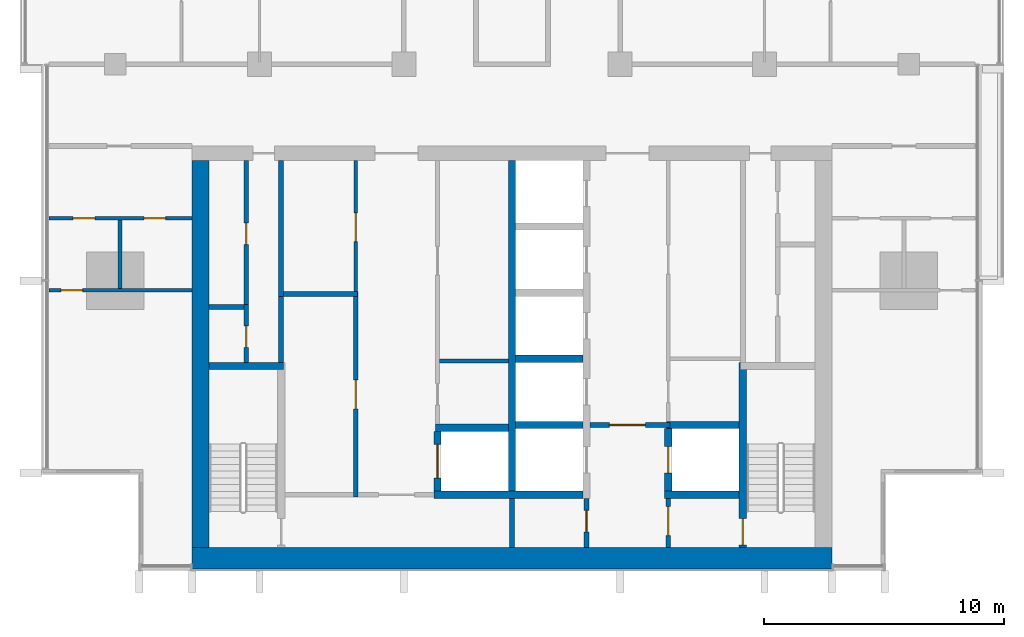
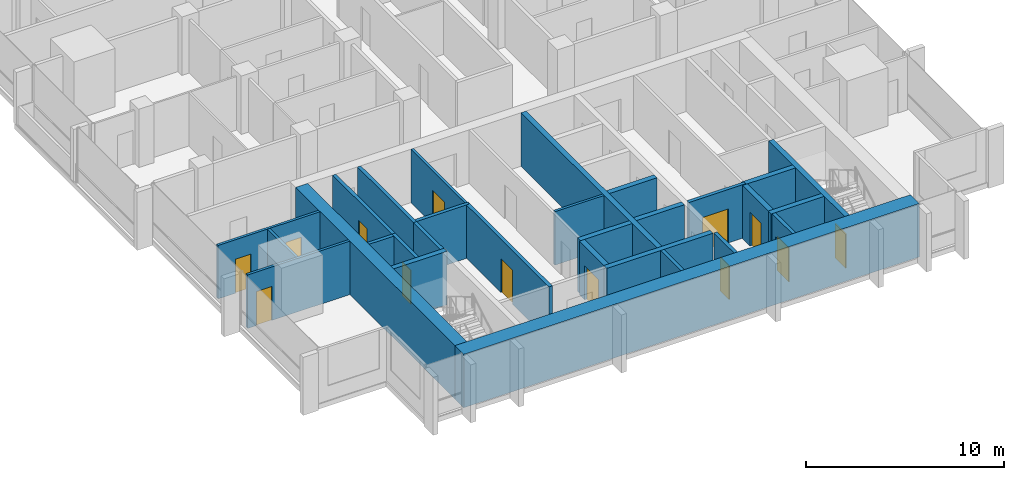
# One storey, part 7 of 17: 29 walls, 13 doors, 13 openings.
"""IFC4 building model written with IfcOpenShell, lengths in metres."""

import ifcopenshell
import ifcopenshell.guid

model = None  # the IFC model being written
_history = None  # IfcOwnerHistory: only IFC2X3 demands one
_inside = {}  # id of a spatial element -> (the spatial element, [elements in it])
_under = {}  # id of a project, library or spatial element -> (it, [spatial elements below it])
_declared = {}  # id of a project -> (the project, [libraries it declares])
_typed = {}  # id of a type object -> (the type object, [elements of that type])
_made_of = {}  # id of a material, layer set ... -> (it, [elements and type objects made of it])


def new_model(schema):
    """Start an empty IFC model of exactly this schema.

    Asked for "IFC4X3", IfcOpenShell would pick the latest addendum, in which some entities
    have other attributes; the version numbers below select the first issue.
    IFC2X3 requires an IfcOwnerHistory on every rooted entity: one is made here for all.
    """
    global model, _history
    if schema == "IFC4X3":
        model = ifcopenshell.file(schema_version=(4, 3, 0, 0))
    else:
        model = ifcopenshell.file(schema=schema)
    _inside.clear()
    _under.clear()
    _declared.clear()
    _typed.clear()
    _made_of.clear()
    _history = None
    if model.schema == "IFC2X3":
        org = make("IfcOrganization", Name="unknown")
        user = make(
            "IfcPersonAndOrganization",
            ThePerson=make("IfcPerson", FamilyName="unknown"),
            TheOrganization=org,
        )
        app = make(
            "IfcApplication",
            ApplicationDeveloper=org,
            Version="unknown",
            ApplicationFullName="unknown",
            ApplicationIdentifier="unknown",
        )
        _history = make(
            "IfcOwnerHistory",
            OwningUser=user,
            OwningApplication=app,
            ChangeAction="ADDED",
            CreationDate=0,
        )
    return model


def make(cls, **values):
    """One entity of the class cls with the attributes given. An attribute that is None is left unset."""
    return model.create_entity(
        cls, **{name: value for name, value in values.items() if value is not None}
    )


def rooted(cls, **values):
    """An entity with a GlobalId (a new one), such as an element, a storey or a relation."""
    return make(cls, GlobalId=ifcopenshell.guid.new(), OwnerHistory=_history, **values)


def si_unit(unit_type, name, prefix=None):
    """IfcSIUnit, for example si_unit("LENGTHUNIT", "METRE", prefix="MILLI")."""
    return make("IfcSIUnit", UnitType=unit_type, Prefix=prefix, Name=name)


def assignment(units):
    """IfcUnitAssignment: the units of a project."""
    return None if units is None else make("IfcUnitAssignment", Units=units)


def point(xyz):
    """IfcCartesianPoint."""
    return None if xyz is None else make("IfcCartesianPoint", Coordinates=xyz)


def direction(xyz):
    """IfcDirection."""
    return None if xyz is None else make("IfcDirection", DirectionRatios=xyz)


def frame(location, z_axis=None, x_axis=None):
    """IfcAxis2Placement3D, a coordinate frame: its origin and axes. An axis left out is left unset."""
    return make(
        "IfcAxis2Placement3D",
        Location=point(location),
        Axis=direction(z_axis),
        RefDirection=direction(x_axis),
    )


def frame_2d(location, x_axis=None):
    """IfcAxis2Placement2D, a coordinate frame in the plane: its origin and x axis."""
    return make(
        "IfcAxis2Placement2D", Location=point(location), RefDirection=direction(x_axis)
    )


def origin():
    """The frame at (0, 0, 0) with its axes left unset."""
    return frame((0.0, 0.0, 0.0))


def place(relative_to, where):
    """IfcLocalPlacement: puts the frame where relative to a parent placement (None: the world)."""
    return make(
        "IfcLocalPlacement", PlacementRelTo=relative_to, RelativePlacement=where
    )


def context(
    kind, dimensions, precision=None, world=None, true_north=None, identifier=None
):
    """IfcGeometricRepresentationContext, for example the 3D "Model" context."""
    return make(
        "IfcGeometricRepresentationContext",
        ContextIdentifier=identifier,
        ContextType=kind,
        CoordinateSpaceDimension=dimensions,
        Precision=precision,
        WorldCoordinateSystem=world,
        TrueNorth=true_north,
    )


def subcontext(parent, identifier, kind, view, scale=None):
    """IfcGeometricRepresentationSubContext, for example "Body" below "Model"."""
    return make(
        "IfcGeometricRepresentationSubContext",
        ContextIdentifier=identifier,
        ContextType=kind,
        ParentContext=parent,
        TargetScale=scale,
        TargetView=view,
    )


def project(units=None, contexts=None):
    """IfcProject with its units and contexts."""
    return rooted(
        "IfcProject",
        Name="project",
        RepresentationContexts=contexts,
        UnitsInContext=assignment(units),
    )


def spatial(cls, under=None, at=None, **own):
    """A site, building, storey or space (cls), placed at a placement, below another one or the project."""
    s = rooted(cls, ObjectPlacement=at, **own)
    if under is not None:
        _under.setdefault(under.id(), (under, []))[1].append(s)
    return s


def profile(cls, at=None, kind="AREA", **sizes):
    """A parametric profile (cls). Its sizes go by their IFC names, for example OverallWidth=200.0."""
    return make(cls, ProfileType=kind, Position=at, **sizes)


def rectangle(**sizes):
    """IfcRectangleProfileDef."""
    return profile("IfcRectangleProfileDef", **sizes)


def extrude(swept, where, along, depth):
    """IfcExtrudedAreaSolid: the profile swept, set in the frame where, extruded along a direction by depth."""
    return make(
        "IfcExtrudedAreaSolid",
        SweptArea=swept,
        Position=where,
        ExtrudedDirection=direction(along),
        Depth=depth,
    )


def shape(context_of_items, identifier, shape_type, items):
    """IfcShapeRepresentation: the items that make up one representation, for example the "Body"."""
    return make(
        "IfcShapeRepresentation",
        ContextOfItems=context_of_items,
        RepresentationIdentifier=identifier,
        RepresentationType=shape_type,
        Items=items,
    )


def material(Name=None, Category=None):
    """IfcMaterial."""
    return make("IfcMaterial", Name=Name, Category=Category)


def layer(
    of_material, thickness, ventilated=None, Name=None, Category=None, Priority=None
):
    """IfcMaterialLayer: one layer of a wall or slab, of a material (None: an air gap)."""
    return make(
        "IfcMaterialLayer",
        Material=of_material,
        LayerThickness=thickness,
        IsVentilated=ventilated,
        Name=Name,
        Category=Category,
        Priority=Priority,
    )


def layer_set(layers, Name=None):
    """IfcMaterialLayerSet."""
    return make("IfcMaterialLayerSet", MaterialLayers=layers, LayerSetName=Name)


def made_of(thing, what):
    """Note that an element or type object is made of a material, layer set ...; save() writes the relation."""
    if what is not None:
        _made_of.setdefault(what.id(), (what, []))[1].append(thing)
    return thing


def type_object(cls, material=None, **own):
    """A type object (cls), such as IfcWallType, which elements share."""
    return made_of(rooted(cls, **own), material)


def element(
    cls,
    number,
    at=None,
    inside=None,
    cuts=None,
    type_object=None,
    material=None,
    context=None,
    identifier="Body",
    shape_type=None,
    held_by="IfcProductDefinitionShape",
    body=None,
    shapes=None,
    **own,
):
    """One element of the class cls, such as IfcWall. Its Tag is "e" and its number.

    at: its placement. inside: the storey or other place that contains it. cuts: it is an
    opening in that element (IfcRelVoidsElement). A single representation is given by context,
    identifier, shape_type and body (its items); several are given by shapes. held_by: the class
    of the entity that holds the representations. save() writes the other relations.
    """
    e = rooted(cls, Tag="e%d" % number, ObjectPlacement=at, **own)
    if body is not None:
        shapes = [shape(context, identifier, shape_type, body)]
    if shapes is not None:
        e.Representation = make(held_by, Representations=shapes)
    if inside is not None:
        _inside.setdefault(inside.id(), (inside, []))[1].append(e)
    if cuts is not None:
        rooted(
            "IfcRelVoidsElement", RelatingBuildingElement=cuts, RelatedOpeningElement=e
        )
    if type_object is not None:
        _typed.setdefault(type_object.id(), (type_object, []))[1].append(e)
    return made_of(e, material)


def fill(opening, filler):
    """IfcRelFillsElement: the door or window that sits in an opening."""
    return rooted(
        "IfcRelFillsElement",
        RelatingOpeningElement=opening,
        RelatedBuildingElement=filler,
    )


def aggregate(whole, parts):
    """IfcRelAggregates: a whole, such as a stair, and the parts it consists of."""
    return rooted("IfcRelAggregates", RelatingObject=whole, RelatedObjects=parts)


def save(model, path):
    """Write the relations noted so far, then the file.

    IfcRelAggregates (storeys below a building ...), IfcRelContainedInSpatialStructure (elements
    in a storey), IfcRelDefinesByType, IfcRelAssociatesMaterial and IfcRelDeclares: one each for
    every whole, place, type object, material and project.
    """
    for whole, parts in _under.values():
        aggregate(whole, parts)
    for where, things in _inside.values():
        rooted(
            "IfcRelContainedInSpatialStructure",
            RelatedElements=things,
            RelatingStructure=where,
        )
    for kind, things in _typed.values():
        rooted("IfcRelDefinesByType", RelatedObjects=things, RelatingType=kind)
    for what, things in _made_of.values():
        rooted("IfcRelAssociatesMaterial", RelatedObjects=things, RelatingMaterial=what)
    for by, libraries in _declared.values():
        rooted("IfcRelDeclares", RelatingContext=by, RelatedDefinitions=libraries)
    model.write(path)


model = new_model("IFC4")

# Units and contexts
model_context = context("Model", 3, precision=1e-05, world=origin(), true_north=direction((0.0, 1.0)))
body_context = subcontext(model_context, "Body", "Model", "MODEL_VIEW")
ifc_project = project(units=[si_unit("LENGTHUNIT", "METRE"), si_unit("AREAUNIT", "SQUARE_METRE"), si_unit("VOLUMEUNIT", "CUBIC_METRE"), si_unit("PLANEANGLEUNIT", "RADIAN"), si_unit("MASSUNIT", "GRAM", prefix="KILO")], contexts=[model_context])

# Site, building, storey
site_placement = place(None, origin())
site = spatial("IfcSite", under=ifc_project, at=site_placement, CompositionType="ELEMENT")
building_placement = place(site_placement, origin())
building = spatial("IfcBuilding", under=site, at=building_placement, Name="Finial Court Residences", CompositionType="ELEMENT")
storey_placement = place(building_placement, frame((0.0, 0.0, 170.89990234375)))
storey = spatial("IfcBuildingStorey", under=building, at=storey_placement, Name="L42", CompositionType="ELEMENT", Elevation=170.89990234375)

# Walls
ifc_material_1 = material(Name="Concrete C70/85", Category="concrete")
ifc_layer_1 = layer(ifc_material_1, 0.699951171875)
ifc_layer_set_1 = layer_set([ifc_layer_1], Name="Core outer wall 700 Concrete C70/85")
wall_type_1 = type_object("IfcWallType", Name="Core outer wall 700 Concrete C70/85", PredefinedType="SHEAR", material=ifc_layer_set_1)
wall_1_placement = place(storey_placement, frame((-12.949951171875, -24.60009765625, 0.0), z_axis=(0.0, 0.0, 1.0), x_axis=(0.0, 1.0, 0.0)))
element("IfcWall", 1, at=wall_1_placement, inside=storey, type_object=wall_type_1, Name="Core outer wall L42-03", PredefinedType="SHEAR", context=body_context, shape_type="SweptSolid", body=[
    extrude(rectangle(XDim=16.10009765625, YDim=0.699951171875, at=frame_2d((8.050048828125, 0.0))), origin(), (0.0, 0.0, 1.0), 3.300048828125),
])
ifc_material_2 = material(Name="Fire-rated gypsum board partition")
ifc_layer_2 = layer(ifc_material_2, 0.14990234375)
ifc_layer_set_2 = layer_set([ifc_layer_2], Name="Core room partition 150 EI 60")
wall_type_2 = type_object("IfcWallType", Name="Core room partition 150 EI 60", PredefinedType="PARTITIONING", material=ifc_layer_set_2)
wall_2_placement = place(storey_placement, frame((-3.02490234375, -16.840087890625, 0.0), z_axis=(0.0, 0.0, 1.0), x_axis=(1.0, 0.0, 0.0)))
element("IfcWall", 2, at=wall_2_placement, inside=storey, type_object=wall_type_2, Name="Core partition L42-11", PredefinedType="PARTITIONING", context=body_context, shape_type="SweptSolid", body=[
    extrude(rectangle(XDim=2.875, YDim=0.14990234375, at=frame_2d((1.4375, 0.0))), origin(), (0.0, 0.0, 1.0), 3.300048828125),
])

# Wall, opening, door
wall_3_placement = place(storey_placement, frame((-6.5, -13.9599609375, 0.0), z_axis=(0.0, 0.0, 1.0), x_axis=(0.0, 1.0, 0.0)))
wall_3 = element("IfcWall", 3, at=wall_3_placement, inside=storey, type_object=wall_type_2, Name="Core partition L42-25", PredefinedType="PARTITIONING", context=body_context, shape_type="SweptSolid", body=[
    extrude(rectangle(XDim=5.4599609375, YDim=0.14990234375, at=frame_2d((2.72998046875, 0.0))), origin(), (0.0, 0.0, 1.0), 3.300048828125),
])
opening_1_placement = place(wall_3_placement, frame((2.080078125, 0.0, 0.0)))
opening_1 = element("IfcOpeningElement", 4, at=opening_1_placement, cuts=wall_3, Name="Opening L42-C14", PredefinedType="OPENING", context=body_context, shape_type="SweptSolid", body=[
    extrude(rectangle(XDim=1.199951171875, YDim=2.10009765625, at=frame_2d((0.60009765625, 1.050048828125))), frame((0.0, 0.0849609375, 0.0), z_axis=(0.0, -1.0, 0.0), x_axis=(1.0, 0.0, 0.0)), (0.0, 0.0, 1.0), 0.169921875),
])
ifc_material_3 = material(Name="Steel fire door", Category="steel")
door_type_1 = type_object("IfcDoorType", Name="Core room door 1200 x 2100 EI 60", OperationType="NOTDEFINED", PredefinedType="DOOR", material=ifc_material_3)
door_1_placement = place(opening_1_placement, origin())
door_1 = element("IfcDoor", 5, at=door_1_placement, inside=storey, type_object=door_type_1, Name="Core room door L42-C14", OperationType="SINGLE_SWING_RIGHT", OverallHeight=2.10009765625, OverallWidth=1.199951171875, PredefinedType="DOOR", context=body_context, shape_type="SweptSolid", body=[
    extrude(rectangle(XDim=1.199951171875, YDim=2.10009765625, at=frame_2d((0.60009765625, 1.050048828125))), frame((0.0, 0.02490234375, 0.0), z_axis=(0.0, -1.0, 0.0), x_axis=(1.0, 0.0, 0.0)), (0.0, 0.0, 1.0), 0.050048828125),
])
fill(opening_1, door_1)

# Wall
ifc_layer_3 = layer(ifc_material_1, 0.89990234375)
ifc_layer_set_3 = layer_set([ifc_layer_3], Name="Core south facade wall 900 Concrete C70/85")
wall_type_3 = type_object("IfcWallType", Name="Core south facade wall 900 Concrete C70/85", PredefinedType="SHEAR", material=ifc_layer_set_3)
wall_4_placement = place(storey_placement, frame((-13.300048828125, -25.050048828125, 0.0), z_axis=(0.0, 0.0, 1.0), x_axis=(1.0, 0.0, 0.0)))
element("IfcWall", 6, at=wall_4_placement, inside=storey, type_object=wall_type_3, Name="Core outer wall L42-01", PredefinedType="SHEAR", context=body_context, shape_type="SweptSolid", body=[
    extrude(rectangle(XDim=26.60009765625, YDim=0.89990234375, at=frame_2d((13.300048828125, 0.0))), origin(), (0.0, 0.0, 1.0), 3.300048828125),
])

# Wall, opening, door
ifc_layer_4 = layer(ifc_material_2, 0.199951171875)
ifc_layer_set_4 = layer_set([ifc_layer_4], Name="Firefighting lobby wall 200 EI 120")
wall_type_4 = type_object("IfcWallType", Name="Firefighting lobby wall 200 EI 120", PredefinedType="PARTITIONING", material=ifc_layer_set_4)
wall_5_placement = place(storey_placement, frame((6.574951171875, -19.5, 0.0), z_axis=(0.0, 0.0, 1.0), x_axis=(-1.0, 0.0, 0.0)))
wall_5 = element("IfcWall", 7, at=wall_5_placement, inside=storey, type_object=wall_type_4, Name="Core partition L42-07", PredefinedType="PARTITIONING", context=body_context, shape_type="SweptSolid", body=[
    extrude(rectangle(XDim=3.324951171875, YDim=0.199951171875, at=frame_2d((1.66259765625, 0.0))), origin(), (0.0, 0.0, 1.0), 3.300048828125),
])
opening_2_placement = place(wall_5_placement, frame((1.02490234375, 0.0, 0.0)))
opening_2 = element("IfcOpeningElement", 8, at=opening_2_placement, cuts=wall_5, Name="Opening L42-C02", PredefinedType="OPENING", context=body_context, shape_type="SweptSolid", body=[
    extrude(rectangle(XDim=1.5, YDim=2.10009765625, at=frame_2d((0.75, 1.050048828125))), frame((0.0, 0.10986328125, 0.0), z_axis=(0.0, -1.0, 0.0), x_axis=(1.0, 0.0, 0.0)), (0.0, 0.0, 1.0), 0.219970703125),
])
door_type_2 = type_object("IfcDoorType", Name="Firefighting lobby door 1500 x 2100 EI 90", OperationType="DOUBLE_DOOR_SINGLE_SWING", PredefinedType="DOOR", material=ifc_material_3)
door_2_placement = place(opening_2_placement, origin())
door_2 = element("IfcDoor", 9, at=door_2_placement, inside=storey, type_object=door_type_2, Name="Firefighting lobby door L42-C02", OperationType="DOUBLE_DOOR_SINGLE_SWING", OverallHeight=2.10009765625, OverallWidth=1.5, PredefinedType="DOOR", context=body_context, shape_type="SweptSolid", body=[
    extrude(rectangle(XDim=1.5, YDim=2.10009765625, at=frame_2d((0.75, 1.050048828125))), frame((0.0, 0.02490234375, 0.0), z_axis=(0.0, -1.0, 0.0), x_axis=(1.0, 0.0, 0.0)), (0.0, 0.0, 1.0), 0.050048828125),
])
fill(opening_2, door_2)

wall_6_placement = place(storey_placement, frame((3.10009765625, -24.60009765625, 0.0), z_axis=(0.0, 0.0, 1.0), x_axis=(0.0, 1.0, 0.0)))
wall_6 = element("IfcWall", 10, at=wall_6_placement, inside=storey, type_object=wall_type_4, Name="Core partition L42-30", PredefinedType="PARTITIONING", context=body_context, shape_type="SweptSolid", body=[
    extrude(rectangle(XDim=2.050048828125, YDim=0.199951171875, at=frame_2d((1.02490234375, 0.0))), origin(), (0.0, 0.0, 1.0), 3.300048828125),
])
opening_3_placement = place(wall_6_placement, frame((0.64990234375, 0.0, 0.0)))
opening_3 = element("IfcOpeningElement", 11, at=opening_3_placement, cuts=wall_6, Name="Opening L42-C06", PredefinedType="OPENING", context=body_context, shape_type="SweptSolid", body=[
    extrude(rectangle(XDim=0.89990234375, YDim=2.10009765625, at=frame_2d((0.449951171875, 1.050048828125))), frame((0.0, 0.10986328125, 0.0), z_axis=(0.0, -1.0, 0.0), x_axis=(1.0, 0.0, 0.0)), (0.0, 0.0, 1.0), 0.219970703125),
])
door_type_3 = type_object("IfcDoorType", Name="Riser room door 900 x 2100 EI 90", OperationType="NOTDEFINED", PredefinedType="DOOR", material=ifc_material_3)
door_3_placement = place(opening_3_placement, origin())
door_3 = element("IfcDoor", 12, at=door_3_placement, inside=storey, type_object=door_type_3, Name="Riser room door L42-C06", OperationType="SINGLE_SWING_LEFT", OverallHeight=2.10009765625, OverallWidth=0.89990234375, PredefinedType="DOOR", context=body_context, shape_type="SweptSolid", body=[
    extrude(rectangle(XDim=0.89990234375, YDim=2.10009765625, at=frame_2d((0.449951171875, 1.050048828125))), frame((0.0, 0.02490234375, 0.0), z_axis=(0.0, -1.0, 0.0), x_axis=(1.0, 0.0, 0.0)), (0.0, 0.0, 1.0), 0.050048828125),
])
fill(opening_3, door_3)

wall_7_placement = place(storey_placement, frame((6.5, -22.550048828125, 0.0), z_axis=(0.0, 0.0, 1.0), x_axis=(0.0, -1.0, 0.0)))
wall_7 = element("IfcWall", 13, at=wall_7_placement, inside=storey, type_object=wall_type_4, Name="Core partition L42-32", PredefinedType="PARTITIONING", context=body_context, shape_type="SweptSolid", body=[
    extrude(rectangle(XDim=2.050048828125, YDim=0.199951171875, at=frame_2d((1.02490234375, 0.0))), origin(), (0.0, 0.0, 1.0), 3.300048828125),
])
opening_4_placement = place(wall_7_placement, frame((0.35009765625, 0.0, 0.0)))
opening_4 = element("IfcOpeningElement", 14, at=opening_4_placement, cuts=wall_7, Name="Opening L42-C01", PredefinedType="OPENING", context=body_context, shape_type="SweptSolid", body=[
    extrude(rectangle(XDim=1.199951171875, YDim=2.10009765625, at=frame_2d((0.60009765625, 1.050048828125))), frame((0.0, 0.10986328125, 0.0), z_axis=(0.0, -1.0, 0.0), x_axis=(1.0, 0.0, 0.0)), (0.0, 0.0, 1.0), 0.219970703125),
])
door_type_4 = type_object("IfcDoorType", Name="Firefighting lobby door 1200 x 2100 EI 90", OperationType="NOTDEFINED", PredefinedType="DOOR", material=ifc_material_3)
door_4_placement = place(opening_4_placement, origin())
door_4 = element("IfcDoor", 15, at=door_4_placement, inside=storey, type_object=door_type_4, Name="Firefighting lobby door L42-C01", OperationType="SINGLE_SWING_RIGHT", OverallHeight=2.10009765625, OverallWidth=1.199951171875, PredefinedType="DOOR", context=body_context, shape_type="SweptSolid", body=[
    extrude(rectangle(XDim=1.199951171875, YDim=2.10009765625, at=frame_2d((0.60009765625, 1.050048828125))), frame((0.0, 0.02490234375, 0.0), z_axis=(0.0, -1.0, 0.0), x_axis=(1.0, 0.0, 0.0)), (0.0, 0.0, 1.0), 0.050048828125),
])
fill(opening_4, door_4)

ifc_material_4 = material(Name="Moisture-resistant gypsum board")
ifc_layer_5 = layer(ifc_material_4, 0.012451171875)
ifc_material_5 = material(Name="Mineral wool in light-gauge frame")
ifc_layer_6 = layer(ifc_material_5, 0.125)
ifc_layer_7 = layer(ifc_material_4, 0.012451171875)
ifc_layer_set_5 = layer_set([ifc_layer_5, ifc_layer_6, ifc_layer_7], Name="Gypsum board wet-area partition 150")
wall_type_5 = type_object("IfcWallType", Name="Gypsum board wet-area partition 150", PredefinedType="PARTITIONING", material=ifc_layer_set_5)
wall_8_placement = place(storey_placement, frame((-19.262451171875, -13.89990234375, 0.0), z_axis=(0.0, 0.0, 1.0), x_axis=(1.0, 0.0, 0.0)))
wall_8 = element("IfcWall", 16, at=wall_8_placement, inside=storey, type_object=wall_type_5, Name="Partition L42-000", PredefinedType="PARTITIONING", context=body_context, shape_type="SweptSolid", body=[
    extrude(rectangle(XDim=5.96240234375, YDim=0.14990234375, at=frame_2d((2.981201171875, 0.0))), origin(), (0.0, 0.0, 1.0), 3.300048828125),
])
opening_5_placement = place(wall_8_placement, frame((0.511962890625, 0.0, 0.0)))
opening_5 = element("IfcOpeningElement", 17, at=opening_5_placement, cuts=wall_8, Name="Opening L42-D001", PredefinedType="OPENING", context=body_context, shape_type="SweptSolid", body=[
    extrude(rectangle(XDim=0.89990234375, YDim=2.10009765625, at=frame_2d((0.449951171875, 1.050048828125))), frame((0.0, 0.0849609375, 0.0), z_axis=(0.0, -1.0, 0.0), x_axis=(1.0, 0.0, 0.0)), (0.0, 0.0, 1.0), 0.169921875),
])
ifc_material_6 = material(Name="Timber door leaf in timber frame", Category="wood")
door_type_5 = type_object("IfcDoorType", Name="Door set 900 x 2100", OperationType="SINGLE_SWING_LEFT", PredefinedType="DOOR", material=ifc_material_6)
door_5_placement = place(opening_5_placement, origin())
door_5 = element("IfcDoor", 18, at=door_5_placement, inside=storey, type_object=door_type_5, Name="Door L42-D001", OperationType="SINGLE_SWING_LEFT", OverallHeight=2.10009765625, OverallWidth=0.89990234375, PredefinedType="DOOR", context=body_context, shape_type="SweptSolid", body=[
    extrude(rectangle(XDim=0.89990234375, YDim=2.10009765625, at=frame_2d((0.449951171875, 1.050048828125))), frame((0.0, 0.02490234375, 0.0), z_axis=(0.0, -1.0, 0.0), x_axis=(1.0, 0.0, 0.0)), (0.0, 0.0, 1.0), 0.050048828125),
])
fill(opening_5, door_5)

# Wall, openings, doors
wall_9_placement = place(storey_placement, frame((-19.262451171875, -10.89990234375, 0.0), z_axis=(0.0, 0.0, 1.0), x_axis=(1.0, 0.0, 0.0)))
wall_9 = element("IfcWall", 19, at=wall_9_placement, inside=storey, type_object=wall_type_5, Name="Partition L42-002", PredefinedType="PARTITIONING", context=body_context, shape_type="SweptSolid", body=[
    extrude(rectangle(XDim=5.96240234375, YDim=0.14990234375, at=frame_2d((2.981201171875, 0.0))), origin(), (0.0, 0.0, 1.0), 3.300048828125),
])
opening_6_placement = place(wall_9_placement, frame((1.011962890625, 0.0, 0.0)))
opening_6 = element("IfcOpeningElement", 20, at=opening_6_placement, cuts=wall_9, Name="Opening L42-D003", PredefinedType="OPENING", context=body_context, shape_type="SweptSolid", body=[
    extrude(rectangle(XDim=0.89990234375, YDim=2.10009765625, at=frame_2d((0.449951171875, 1.050048828125))), frame((0.0, 0.0849609375, 0.0), z_axis=(0.0, -1.0, 0.0), x_axis=(1.0, 0.0, 0.0)), (0.0, 0.0, 1.0), 0.169921875),
])
opening_7_placement = place(wall_9_placement, frame((3.962890625, 0.0, 0.0)))
opening_7 = element("IfcOpeningElement", 21, at=opening_7_placement, cuts=wall_9, Name="Opening L42-D004", PredefinedType="OPENING", context=body_context, shape_type="SweptSolid", body=[
    extrude(rectangle(XDim=0.89990234375, YDim=2.10009765625, at=frame_2d((0.449951171875, 1.050048828125))), frame((0.0, 0.0849609375, 0.0), z_axis=(0.0, -1.0, 0.0), x_axis=(1.0, 0.0, 0.0)), (0.0, 0.0, 1.0), 0.169921875),
])
door_6_placement = place(opening_6_placement, origin())
door_6 = element("IfcDoor", 22, at=door_6_placement, inside=storey, type_object=door_type_5, Name="Door L42-D003", OperationType="SINGLE_SWING_LEFT", OverallHeight=2.10009765625, OverallWidth=0.89990234375, PredefinedType="DOOR", context=body_context, shape_type="SweptSolid", body=[
    extrude(rectangle(XDim=0.89990234375, YDim=2.10009765625, at=frame_2d((0.449951171875, 1.050048828125))), frame((0.0, 0.02490234375, 0.0), z_axis=(0.0, -1.0, 0.0), x_axis=(1.0, 0.0, 0.0)), (0.0, 0.0, 1.0), 0.050048828125),
])
fill(opening_6, door_6)
door_7_placement = place(opening_7_placement, origin())
door_7 = element("IfcDoor", 23, at=door_7_placement, inside=storey, type_object=door_type_5, Name="Door L42-D004", OperationType="SINGLE_SWING_RIGHT", OverallHeight=2.10009765625, OverallWidth=0.89990234375, PredefinedType="DOOR", context=body_context, shape_type="SweptSolid", body=[
    extrude(rectangle(XDim=0.89990234375, YDim=2.10009765625, at=frame_2d((0.449951171875, 1.050048828125))), frame((0.0, 0.02490234375, 0.0), z_axis=(0.0, -1.0, 0.0), x_axis=(1.0, 0.0, 0.0)), (0.0, 0.0, 1.0), 0.050048828125),
])
fill(opening_7, door_7)

# Walls
wall_10_placement = place(storey_placement, frame((-16.300048828125, -13.824951171875, 0.0), z_axis=(0.0, 0.0, 1.0), x_axis=(0.0, 1.0, 0.0)))
element("IfcWall", 24, at=wall_10_placement, inside=storey, type_object=wall_type_5, Name="Partition L42-037", PredefinedType="PARTITIONING", context=body_context, shape_type="SweptSolid", body=[
    extrude(rectangle(XDim=2.849853515625, YDim=0.14990234375, at=frame_2d((1.4248046875, 0.0))), origin(), (0.0, 0.0, 1.0), 3.300048828125),
])
ifc_layer_8 = layer(ifc_material_1, 0.300048828125)
ifc_layer_set_6 = layer_set([ifc_layer_8], Name="Lift shaft and stair wall 300 Concrete C70/85")
wall_type_6 = type_object("IfcWallType", Name="Lift shaft and stair wall 300 Concrete C70/85", PredefinedType="SHEAR", material=ifc_layer_set_6)
wall_11_placement = place(storey_placement, frame((-3.25, -22.39990234375, 0.0), z_axis=(0.0, 0.0, 1.0), x_axis=(1.0, 0.0, 0.0)))
element("IfcWall", 25, at=wall_11_placement, inside=storey, type_object=wall_type_6, Name="Core wall L42-03", PredefinedType="SHEAR", context=body_context, shape_type="SweptSolid", body=[
    extrude(rectangle(XDim=6.199951171875, YDim=0.300048828125, at=frame_2d((3.10009765625, 0.0))), origin(), (0.0, 0.0, 1.0), 3.300048828125),
])
wall_12_placement = place(storey_placement, frame((6.35009765625, -22.39990234375, 0.0), z_axis=(0.0, 0.0, 1.0), x_axis=(1.0, 0.0, 0.0)))
element("IfcWall", 26, at=wall_12_placement, inside=storey, type_object=wall_type_6, Name="Core wall L42-04", PredefinedType="SHEAR", context=body_context, shape_type="SweptSolid", body=[
    extrude(rectangle(XDim=3.099853515625, YDim=0.300048828125, at=frame_2d((1.5498046875, 0.0))), origin(), (0.0, 0.0, 1.0), 3.300048828125),
])
wall_13_placement = place(storey_placement, frame((-3.175048828125, -19.6201171875, 0.0), z_axis=(0.0, 0.0, 1.0), x_axis=(1.0, 0.0, 0.0)))
element("IfcWall", 27, at=wall_13_placement, inside=storey, type_object=wall_type_6, Name="Core wall L42-05", PredefinedType="SHEAR", context=body_context, shape_type="SweptSolid", body=[
    extrude(rectangle(XDim=3.025146484375, YDim=0.300048828125, at=frame_2d((1.5126953125, 0.0))), origin(), (0.0, 0.0, 1.0), 3.300048828125),
])
wall_14_placement = place(storey_placement, frame((0.14990234375, -19.5, 0.0), z_axis=(0.0, 0.0, 1.0), x_axis=(1.0, 0.0, 0.0)))
element("IfcWall", 28, at=wall_14_placement, inside=storey, type_object=wall_type_6, Name="Core wall L42-06", PredefinedType="SHEAR", context=body_context, shape_type="SweptSolid", body=[
    extrude(rectangle(XDim=2.800048828125, YDim=0.300048828125, at=frame_2d((1.39990234375, 0.0))), origin(), (0.0, 0.0, 1.0), 3.300048828125),
])
wall_15_placement = place(storey_placement, frame((6.425048828125, -19.5, 0.0), z_axis=(0.0, 0.0, 1.0), x_axis=(1.0, 0.0, 0.0)))
element("IfcWall", 29, at=wall_15_placement, inside=storey, type_object=wall_type_6, Name="Core wall L42-08", PredefinedType="SHEAR", context=body_context, shape_type="SweptSolid", body=[
    extrude(rectangle(XDim=3.02490234375, YDim=0.300048828125, at=frame_2d((1.512451171875, 0.0))), origin(), (0.0, 0.0, 1.0), 3.300048828125),
])
wall_16_placement = place(storey_placement, frame((-12.60009765625, -17.050048828125, 0.0), z_axis=(0.0, 0.0, 1.0), x_axis=(1.0, 0.0, 0.0)))
element("IfcWall", 30, at=wall_16_placement, inside=storey, type_object=wall_type_6, Name="Core wall L42-09", PredefinedType="SHEAR", context=body_context, shape_type="SweptSolid", body=[
    extrude(rectangle(XDim=3.10009765625, YDim=0.300048828125, at=frame_2d((1.550048828125, 0.0))), origin(), (0.0, 0.0, 1.0), 3.300048828125),
])
wall_17_placement = place(storey_placement, frame((0.14990234375, -16.75, 0.0), z_axis=(0.0, 0.0, 1.0), x_axis=(1.0, 0.0, 0.0)))
element("IfcWall", 31, at=wall_17_placement, inside=storey, type_object=wall_type_6, Name="Core wall L42-12", PredefinedType="SHEAR", context=body_context, shape_type="SweptSolid", body=[
    extrude(rectangle(XDim=2.800048828125, YDim=0.300048828125, at=frame_2d((1.39990234375, 0.0))), origin(), (0.0, 0.0, 1.0), 3.300048828125),
])

# Wall, opening, door
wall_18_placement = place(storey_placement, frame((-3.10009765625, -22.25, 0.0), z_axis=(0.0, 0.0, 1.0), x_axis=(0.0, 1.0, 0.0)))
wall_18 = element("IfcWall", 32, at=wall_18_placement, inside=storey, type_object=wall_type_6, Name="Core wall L42-26", PredefinedType="SHEAR", context=body_context, shape_type="SweptSolid", body=[
    extrude(rectangle(XDim=2.47998046875, YDim=0.300048828125, at=frame_2d((1.239990234375, 0.0))), origin(), (0.0, 0.0, 1.0), 3.300048828125),
])
opening_8_placement = place(wall_18_placement, frame((0.5400390625, 0.0, 0.0)))
opening_8 = element("IfcOpeningElement", 33, at=opening_8_placement, cuts=wall_18, Name="Opening L42-LD07", PredefinedType="OPENING", context=body_context, shape_type="SweptSolid", body=[
    extrude(rectangle(XDim=1.39990234375, YDim=2.10009765625, at=frame_2d((0.699951171875, 1.050048828125))), frame((0.0, 0.159912109375, 0.0), z_axis=(0.0, -1.0, 0.0), x_axis=(1.0, 0.0, 0.0)), (0.0, 0.0, 1.0), 0.320068359375),
])
ifc_material_7 = material(Name="Stainless steel lift door", Category="steel")
door_type_6 = type_object("IfcDoorType", Name="Lift landing door 1400 x 2100 EI 90", OperationType="DOUBLE_DOOR_SLIDING", PredefinedType="DOOR", material=ifc_material_7)
door_8_placement = place(opening_8_placement, origin())
door_8 = element("IfcDoor", 34, at=door_8_placement, inside=storey, type_object=door_type_6, Name="Lift landing door SV1 L42", OperationType="DOUBLE_DOOR_SLIDING", OverallHeight=2.10009765625, OverallWidth=1.39990234375, PredefinedType="DOOR", context=body_context, shape_type="SweptSolid", body=[
    extrude(rectangle(XDim=1.39990234375, YDim=2.10009765625, at=frame_2d((0.699951171875, 1.050048828125))), frame((0.0, 0.02490234375, 0.0), z_axis=(0.0, -1.0, 0.0), x_axis=(1.0, 0.0, 0.0)), (0.0, 0.0, 1.0), 0.050048828125),
])
fill(opening_8, door_8)

# Wall
wall_19_placement = place(storey_placement, frame((0.0, -22.25, 0.0), z_axis=(0.0, 0.0, 1.0), x_axis=(0.0, 1.0, 0.0)))
element("IfcWall", 35, at=wall_19_placement, inside=storey, type_object=wall_type_6, Name="Core wall L42-29", PredefinedType="SHEAR", context=body_context, shape_type="SweptSolid", body=[
    extrude(rectangle(XDim=13.75, YDim=0.300048828125, at=frame_2d((6.875, 0.0))), origin(), (0.0, 0.0, 1.0), 3.300048828125),
])

# Wall, opening, door
wall_20_placement = place(storey_placement, frame((6.5, -22.25, 0.0), z_axis=(0.0, 0.0, 1.0), x_axis=(0.0, 1.0, 0.0)))
wall_20 = element("IfcWall", 36, at=wall_20_placement, inside=storey, type_object=wall_type_6, Name="Core wall L42-33", PredefinedType="SHEAR", context=body_context, shape_type="SweptSolid", body=[
    extrude(rectangle(XDim=2.60009765625, YDim=0.300048828125, at=frame_2d((1.300048828125, 0.0))), origin(), (0.0, 0.0, 1.0), 3.300048828125),
])
opening_9_placement = place(wall_20_placement, frame((0.75, 0.0, 0.0)))
opening_9 = element("IfcOpeningElement", 37, at=opening_9_placement, cuts=wall_20, Name="Opening L42-LD02", PredefinedType="OPENING", context=body_context, shape_type="SweptSolid", body=[
    extrude(rectangle(XDim=1.10009765625, YDim=2.10009765625, at=frame_2d((0.550048828125, 1.050048828125))), frame((0.0, 0.159912109375, 0.0), z_axis=(0.0, -1.0, 0.0), x_axis=(1.0, 0.0, 0.0)), (0.0, 0.0, 1.0), 0.320068359375),
])
door_type_7 = type_object("IfcDoorType", Name="Lift landing door 1100 x 2100 EI 90", OperationType="DOUBLE_DOOR_SLIDING", PredefinedType="DOOR", material=ifc_material_7)
door_9_placement = place(opening_9_placement, origin())
door_9 = element("IfcDoor", 38, at=door_9_placement, inside=storey, type_object=door_type_7, Name="Lift landing door FF2 L42", OperationType="DOUBLE_DOOR_SLIDING", OverallHeight=2.10009765625, OverallWidth=1.10009765625, PredefinedType="DOOR", context=body_context, shape_type="SweptSolid", body=[
    extrude(rectangle(XDim=1.10009765625, YDim=2.10009765625, at=frame_2d((0.550048828125, 1.050048828125))), frame((0.0, 0.02490234375, 0.0), z_axis=(0.0, -1.0, 0.0), x_axis=(1.0, 0.0, 0.0)), (0.0, 0.0, 1.0), 0.050048828125),
])
fill(opening_9, door_9)

wall_21_placement = place(storey_placement, frame((9.60009765625, -16.89990234375, 0.0), z_axis=(0.0, 0.0, 1.0), x_axis=(0.0, -1.0, 0.0)))
wall_21 = element("IfcWall", 39, at=wall_21_placement, inside=storey, type_object=wall_type_6, Name="Core wall L42-35", PredefinedType="SHEAR", context=body_context, shape_type="SweptSolid", body=[
    extrude(rectangle(XDim=7.7001953125, YDim=0.300048828125, at=frame_2d((3.85009765625, 0.0))), origin(), (0.0, 0.0, 1.0), 3.300048828125),
])
opening_10_placement = place(wall_21_placement, frame((6.5, 0.0, 0.0)))
opening_10 = element("IfcOpeningElement", 40, at=opening_10_placement, cuts=wall_21, Name="Opening L42-C20", PredefinedType="OPENING", context=body_context, shape_type="SweptSolid", body=[
    extrude(rectangle(XDim=1.10009765625, YDim=2.10009765625, at=frame_2d((0.550048828125, 1.050048828125))), frame((0.0, 0.159912109375, 0.0), z_axis=(0.0, -1.0, 0.0), x_axis=(1.0, 0.0, 0.0)), (0.0, 0.0, 1.0), 0.320068359375),
])
door_type_8 = type_object("IfcDoorType", Name="Stair door 1100 x 2100 EI 90", OperationType="NOTDEFINED", PredefinedType="DOOR", material=ifc_material_3)
door_10_placement = place(opening_10_placement, origin())
door_10 = element("IfcDoor", 41, at=door_10_placement, inside=storey, type_object=door_type_8, Name="Stair door L42-C20", OperationType="SINGLE_SWING_RIGHT", OverallHeight=2.10009765625, OverallWidth=1.10009765625, PredefinedType="DOOR", context=body_context, shape_type="SweptSolid", body=[
    extrude(rectangle(XDim=1.10009765625, YDim=2.10009765625, at=frame_2d((0.550048828125, 1.050048828125))), frame((0.0, 0.02490234375, 0.0), z_axis=(0.0, -1.0, 0.0), x_axis=(1.0, 0.0, 0.0)), (0.0, 0.0, 1.0), 0.050048828125),
])
fill(opening_10, door_10)

# Walls
ifc_layer_9 = layer(ifc_material_2, 0.199951171875)
ifc_layer_set_7 = layer_set([ifc_layer_9], Name="Riser room wall 200 EI 120")
wall_type_7 = type_object("IfcWallType", Name="Riser room wall 200 EI 120", PredefinedType="PARTITIONING", material=ifc_layer_set_7)
wall_22_placement = place(storey_placement, frame((-12.60009765625, -14.60009765625, 0.0), z_axis=(0.0, 0.0, 1.0), x_axis=(1.0, 0.0, 0.0)))
element("IfcWall", 42, at=wall_22_placement, inside=storey, type_object=wall_type_7, Name="Core partition L42-14", PredefinedType="PARTITIONING", context=body_context, shape_type="SweptSolid", body=[
    extrude(rectangle(XDim=1.4501953125, YDim=0.199951171875, at=frame_2d((0.72509765625, 0.0))), origin(), (0.0, 0.0, 1.0), 3.300048828125),
])
wall_23_placement = place(storey_placement, frame((-9.5, -14.06005859375, 0.0), z_axis=(0.0, 0.0, 1.0), x_axis=(1.0, 0.0, 0.0)))
element("IfcWall", 43, at=wall_23_placement, inside=storey, type_object=wall_type_7, Name="Core partition L42-15", PredefinedType="PARTITIONING", context=body_context, shape_type="SweptSolid", body=[
    extrude(rectangle(XDim=3.074951171875, YDim=0.199951171875, at=frame_2d((1.53759765625, 0.0))), origin(), (0.0, 0.0, 1.0), 3.300048828125),
])

# Wall, opening, door
wall_24_placement = place(storey_placement, frame((-11.050048828125, -14.699951171875, 0.0), z_axis=(0.0, 0.0, 1.0), x_axis=(0.0, 1.0, 0.0)))
wall_24 = element("IfcWall", 44, at=wall_24_placement, inside=storey, type_object=wall_type_7, Name="Core partition L42-20", PredefinedType="PARTITIONING", context=body_context, shape_type="SweptSolid", body=[
    extrude(rectangle(XDim=6.199951171875, YDim=0.199951171875, at=frame_2d((3.10009765625, 0.0))), origin(), (0.0, 0.0, 1.0), 3.300048828125),
])
opening_11_placement = place(wall_24_placement, frame((2.699951171875, 0.0, 0.0)))
opening_11 = element("IfcOpeningElement", 45, at=opening_11_placement, cuts=wall_24, Name="Opening L42-C07", PredefinedType="OPENING", context=body_context, shape_type="SweptSolid", body=[
    extrude(rectangle(XDim=0.89990234375, YDim=2.10009765625, at=frame_2d((0.449951171875, 1.050048828125))), frame((0.0, 0.10986328125, 0.0), z_axis=(0.0, -1.0, 0.0), x_axis=(1.0, 0.0, 0.0)), (0.0, 0.0, 1.0), 0.219970703125),
])
door_11_placement = place(opening_11_placement, origin())
door_11 = element("IfcDoor", 46, at=door_11_placement, inside=storey, type_object=door_type_3, Name="Riser room door L42-C07", OperationType="SINGLE_SWING_LEFT", OverallHeight=2.10009765625, OverallWidth=0.89990234375, PredefinedType="DOOR", context=body_context, shape_type="SweptSolid", body=[
    extrude(rectangle(XDim=0.89990234375, YDim=2.10009765625, at=frame_2d((0.449951171875, 1.050048828125))), frame((0.0, 0.02490234375, 0.0), z_axis=(0.0, -1.0, 0.0), x_axis=(1.0, 0.0, 0.0)), (0.0, 0.0, 1.0), 0.050048828125),
])
fill(opening_11, door_11)

# Wall
wall_25_placement = place(storey_placement, frame((-9.60009765625, -16.89990234375, 0.0), z_axis=(0.0, 0.0, 1.0), x_axis=(0.0, 1.0, 0.0)))
element("IfcWall", 47, at=wall_25_placement, inside=storey, type_object=wall_type_7, Name="Core partition L42-22", PredefinedType="PARTITIONING", context=body_context, shape_type="SweptSolid", body=[
    extrude(rectangle(XDim=2.739990234375, YDim=0.199951171875, at=frame_2d((1.3701171875, 0.0))), origin(), (0.0, 0.0, 1.0), 3.300048828125),
])

# Wall, opening, door
wall_26_placement = place(storey_placement, frame((-6.5, -22.5, 0.0), z_axis=(0.0, 0.0, 1.0), x_axis=(0.0, 1.0, 0.0)))
wall_26 = element("IfcWall", 48, at=wall_26_placement, inside=storey, type_object=wall_type_7, Name="Core partition L42-24", PredefinedType="PARTITIONING", context=body_context, shape_type="SweptSolid", body=[
    extrude(rectangle(XDim=8.5400390625, YDim=0.199951171875, at=frame_2d((4.27001953125, 0.0))), origin(), (0.0, 0.0, 1.0), 3.300048828125),
])
opening_12_placement = place(wall_26_placement, frame((3.669921875, 0.0, 0.0)))
opening_12 = element("IfcOpeningElement", 49, at=opening_12_placement, cuts=wall_26, Name="Opening L42-C09", PredefinedType="OPENING", context=body_context, shape_type="SweptSolid", body=[
    extrude(rectangle(XDim=1.199951171875, YDim=2.10009765625, at=frame_2d((0.60009765625, 1.050048828125))), frame((0.0, 0.10986328125, 0.0), z_axis=(0.0, -1.0, 0.0), x_axis=(1.0, 0.0, 0.0)), (0.0, 0.0, 1.0), 0.219970703125),
])
door_type_9 = type_object("IfcDoorType", Name="Riser room door 1200 x 2100 EI 90", OperationType="NOTDEFINED", PredefinedType="DOOR", material=ifc_material_3)
door_12_placement = place(opening_12_placement, origin())
door_12 = element("IfcDoor", 50, at=door_12_placement, inside=storey, type_object=door_type_9, Name="Riser room door L42-C09", OperationType="SINGLE_SWING_LEFT", OverallHeight=2.10009765625, OverallWidth=1.199951171875, PredefinedType="DOOR", context=body_context, shape_type="SweptSolid", body=[
    extrude(rectangle(XDim=1.199951171875, YDim=2.10009765625, at=frame_2d((0.60009765625, 1.050048828125))), frame((0.0, 0.02490234375, 0.0), z_axis=(0.0, -1.0, 0.0), x_axis=(1.0, 0.0, 0.0)), (0.0, 0.0, 1.0), 0.050048828125),
])
fill(opening_12, door_12)

# Wall
wall_27_placement = place(storey_placement, frame((0.0, -24.60009765625, 0.0), z_axis=(0.0, 0.0, 1.0), x_axis=(0.0, 1.0, 0.0)))
element("IfcWall", 51, at=wall_27_placement, inside=storey, type_object=wall_type_7, Name="Core partition L42-28", PredefinedType="PARTITIONING", context=body_context, shape_type="SweptSolid", body=[
    extrude(rectangle(XDim=2.050048828125, YDim=0.199951171875, at=frame_2d((1.02490234375, 0.0))), origin(), (0.0, 0.0, 1.0), 3.300048828125),
])

# Wall, opening, door
ifc_layer_10 = layer(ifc_material_2, 0.199951171875)
ifc_layer_set_8 = layer_set([ifc_layer_10], Name="Stair passage wall 200 EI 180")
wall_type_8 = type_object("IfcWallType", Name="Stair passage wall 200 EI 180", PredefinedType="PARTITIONING", material=ifc_layer_set_8)
wall_28_placement = place(storey_placement, frame((-11.050048828125, -16.89990234375, 0.0), z_axis=(0.0, 0.0, 1.0), x_axis=(0.0, 1.0, 0.0)))
wall_28 = element("IfcWall", 52, at=wall_28_placement, inside=storey, type_object=wall_type_8, Name="Core partition L42-19", PredefinedType="PARTITIONING", context=body_context, shape_type="SweptSolid", body=[
    extrude(rectangle(XDim=2.39990234375, YDim=0.199951171875, at=frame_2d((1.199951171875, 0.0))), origin(), (0.0, 0.0, 1.0), 3.300048828125),
])
opening_13_placement = place(wall_28_placement, frame((0.625, 0.0, 0.0)))
opening_13 = element("IfcOpeningElement", 53, at=opening_13_placement, cuts=wall_28, Name="Opening L42-C12", PredefinedType="OPENING", context=body_context, shape_type="SweptSolid", body=[
    extrude(rectangle(XDim=0.89990234375, YDim=2.10009765625, at=frame_2d((0.449951171875, 1.050048828125))), frame((0.0, 0.10986328125, 0.0), z_axis=(0.0, -1.0, 0.0), x_axis=(1.0, 0.0, 0.0)), (0.0, 0.0, 1.0), 0.219970703125),
])
door_type_10 = type_object("IfcDoorType", Name="Core room door 900 x 2100 EI 60", OperationType="NOTDEFINED", PredefinedType="DOOR", material=ifc_material_3)
door_13_placement = place(opening_13_placement, origin())
door_13 = element("IfcDoor", 54, at=door_13_placement, inside=storey, type_object=door_type_10, Name="Core room door L42-C12", OperationType="SINGLE_SWING_RIGHT", OverallHeight=2.10009765625, OverallWidth=0.89990234375, PredefinedType="DOOR", context=body_context, shape_type="SweptSolid", body=[
    extrude(rectangle(XDim=0.89990234375, YDim=2.10009765625, at=frame_2d((0.449951171875, 1.050048828125))), frame((0.0, 0.02490234375, 0.0), z_axis=(0.0, -1.0, 0.0), x_axis=(1.0, 0.0, 0.0)), (0.0, 0.0, 1.0), 0.050048828125),
])
fill(opening_13, door_13)

# Wall
wall_29_placement = place(storey_placement, frame((-9.60009765625, -14.159912109375, 0.0), z_axis=(0.0, 0.0, 1.0), x_axis=(0.0, 1.0, 0.0)))
element("IfcWall", 55, at=wall_29_placement, inside=storey, type_object=wall_type_8, Name="Core partition L42-23", PredefinedType="PARTITIONING", context=body_context, shape_type="SweptSolid", body=[
    extrude(rectangle(XDim=5.659912109375, YDim=0.199951171875, at=frame_2d((2.830078125, 0.0))), origin(), (0.0, 0.0, 1.0), 3.300048828125),
])

save(model, "model.ifc")
